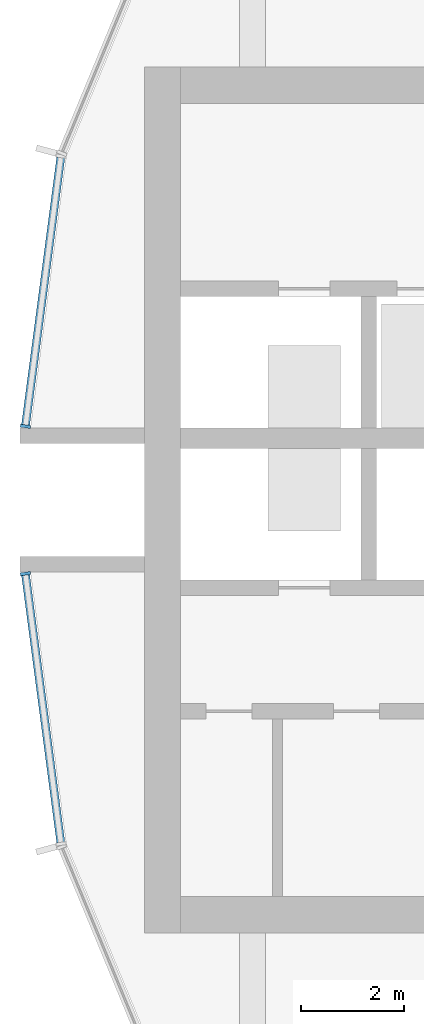
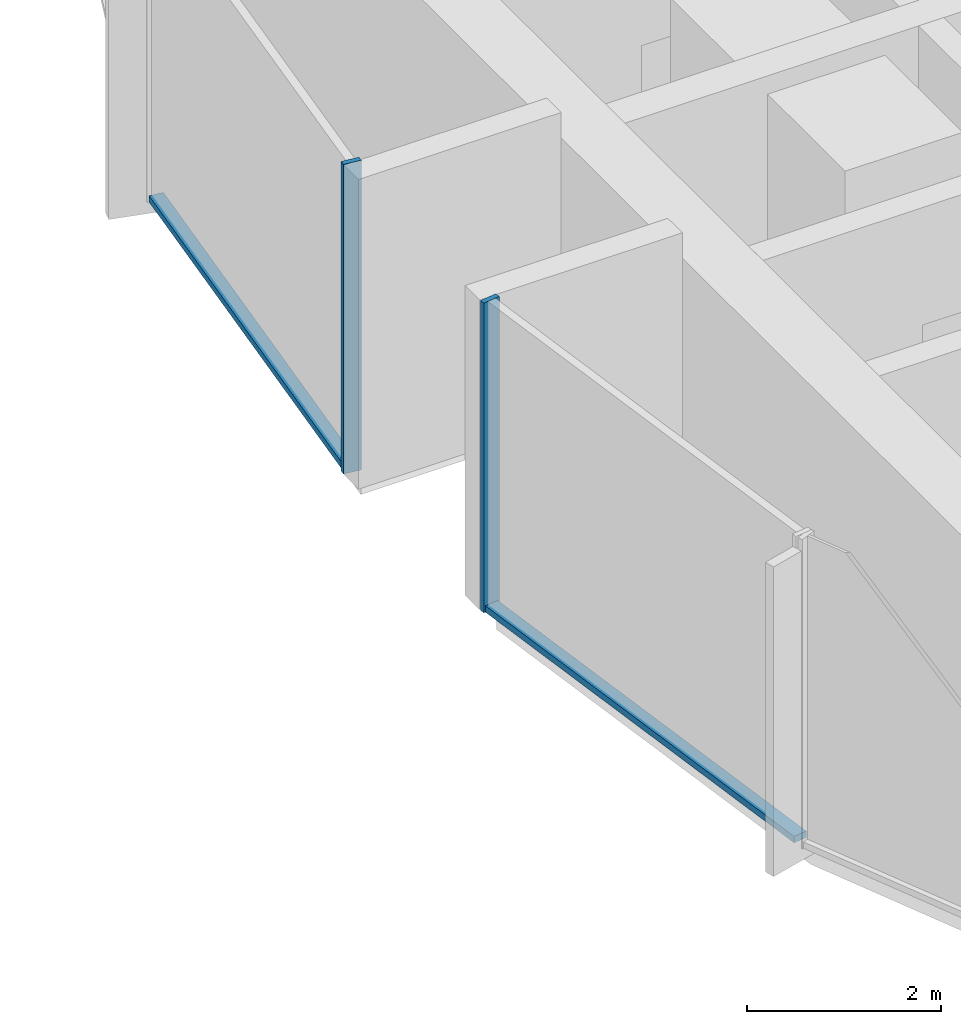
# One storey, part 3 of 15: 4 members, 2 elements without a shape of their own.
"""IFC4 building model written with IfcOpenShell, lengths in metres."""

from ifc_helpers import new_model, si_unit, direction, frame, origin, origin_2d, place, context, subcontext, project, spatial, rectangle, extrude, material, layer, layer_set, material_profile, profile_set, type_object, element, aggregate, save


model = new_model("IFC4")

# Units and contexts
model_context = context("Model", 3, precision=1e-05, world=origin(), true_north=direction((0.0, 1.0)))
body_context = subcontext(model_context, "Body", "Model", "MODEL_VIEW")
ifc_project = project(units=[si_unit("LENGTHUNIT", "METRE"), si_unit("AREAUNIT", "SQUARE_METRE"), si_unit("VOLUMEUNIT", "CUBIC_METRE"), si_unit("PLANEANGLEUNIT", "RADIAN"), si_unit("MASSUNIT", "GRAM", prefix="KILO")], contexts=[model_context])

# Site, building, storey
site_placement = place(None, origin())
site = spatial("IfcSite", under=ifc_project, at=site_placement, CompositionType="ELEMENT")
building_placement = place(site_placement, origin())
building = spatial("IfcBuilding", under=site, at=building_placement, Name="Torre Brocal", CompositionType="ELEMENT")
storey_placement = place(building_placement, frame((0.0, 0.0, 138.0)))
storey = spatial("IfcBuildingStorey", under=building, at=storey_placement, Name="L32", CompositionType="ELEMENT", Elevation=138.0)

# Curtain wall, member
ifc_material_1 = material(Name="Aluminium and glass", Category="aluminium")
ifc_layer = layer(ifc_material_1, 0.199951171875)
ifc_layer_set = layer_set([ifc_layer], Name="Aluminium and glass")
curtain_wall_type = type_object("IfcCurtainWallType", Name="CW-1B CURTAIN WALL 3900 HIGH", PredefinedType="NOTDEFINED", material=ifc_layer_set)
curtain_wall_1_placement = place(storey_placement, origin())
curtain_wall_1 = element("IfcCurtainWall", 1, at=curtain_wall_1_placement, inside=storey, type_object=curtain_wall_type, Name="CW-1B RUN 12", PredefinedType="NOTDEFINED")
ifc_material_2 = material(Name="Aluminium, dark anodised", Category="aluminium")
ifc_material_profile_1 = material_profile(ifc_material_2, rectangle(XDim=0.199951171875, YDim=0.06005859375, at=origin_2d()), Name="CW-1B MULLION 60X200")
ifc_profile_set_1 = profile_set([ifc_material_profile_1], Name="Aluminium, dark anodised")
member_type_1 = type_object("IfcMemberType", Name="CW-1B MULLION 60X200", PredefinedType="MULLION", material=ifc_profile_set_1)
member_1_placement = place(storey_placement, frame((54.2890625, 76.4296875, 0.0), z_axis=(0.0, 0.0, 1.0), x_axis=(0.991444861374, -0.13052619222, 0.0)))
member_1 = element("IfcMember", 2, at=member_1_placement, type_object=member_type_1, Name="CW1B-3 mullion 2", PredefinedType="MULLION", context=body_context, shape_type="SweptSolid", body=[
    extrude(rectangle(XDim=0.199951171875, YDim=0.06005859375, at=origin_2d()), origin(), (0.0, 0.0, 1.0), 3.89990234375),
])

curtain_wall_2_placement = place(storey_placement, origin())
curtain_wall_2 = element("IfcCurtainWall", 3, at=curtain_wall_2_placement, inside=storey, type_object=curtain_wall_type, Name="CW-1B RUN 13", PredefinedType="NOTDEFINED")
member_2_placement = place(storey_placement, frame((54.2890625, 73.5703125, 0.0), z_axis=(0.0, 0.0, 1.0), x_axis=(0.991444861374, 0.13052619222, 0.0)))
member_2 = element("IfcMember", 4, at=member_2_placement, type_object=member_type_1, Name="CW1B-3 mullion 1", PredefinedType="MULLION", context=body_context, shape_type="SweptSolid", body=[
    extrude(rectangle(XDim=0.199951171875, YDim=0.06005859375, at=origin_2d()), origin(), (0.0, 0.0, 1.0), 3.89990234375),
])

# Member
ifc_material_3 = material(Name="Aluminium, dark anodised", Category="aluminium")
ifc_material_profile_2 = material_profile(ifc_material_3, rectangle(XDim=0.159912109375, YDim=0.080078125, at=origin_2d()), Name="CW-1B TRANSOM 160X80")
ifc_profile_set_2 = profile_set([ifc_material_profile_2], Name="Aluminium, dark anodised")
member_type_2 = type_object("IfcMemberType", Name="CW-1B TRANSOM 160X80", PredefinedType="USERDEFINED", material=ifc_profile_set_2)
member_3_placement = place(storey_placement, frame((54.9755859375, 81.643798828125, 0.0400390625), z_axis=(-0.130542677827, -0.991442690863, 0.0), x_axis=(0.991442690863, -0.130542677827, 0.0)))
member_3 = element("IfcMember", 5, at=member_3_placement, type_object=member_type_2, Name="CW1B-3 transom 1.1", ObjectType="TRANSOM", PredefinedType="USERDEFINED", context=body_context, shape_type="SweptSolid", body=[
    extrude(rectangle(XDim=0.159912109375, YDim=0.080078125, at=origin_2d()), origin(), (0.0, 0.0, 1.0), 5.22900390625),
])

aggregate(curtain_wall_1, [member_1, member_3])

member_4_placement = place(storey_placement, frame((54.29296875, 73.54052734375, 0.0400390625), z_axis=(0.130542677827, -0.991442690863, 0.0), x_axis=(0.991442690863, 0.130542677827, 0.0)))
member_4 = element("IfcMember", 6, at=member_4_placement, type_object=member_type_2, Name="CW1B-3 transom 1.1", ObjectType="TRANSOM", PredefinedType="USERDEFINED", context=body_context, shape_type="SweptSolid", body=[
    extrude(rectangle(XDim=0.159912109375, YDim=0.080078125, at=origin_2d()), origin(), (0.0, 0.0, 1.0), 5.22900390625),
])

aggregate(curtain_wall_2, [member_2, member_4])

save(model, "model.ifc")
